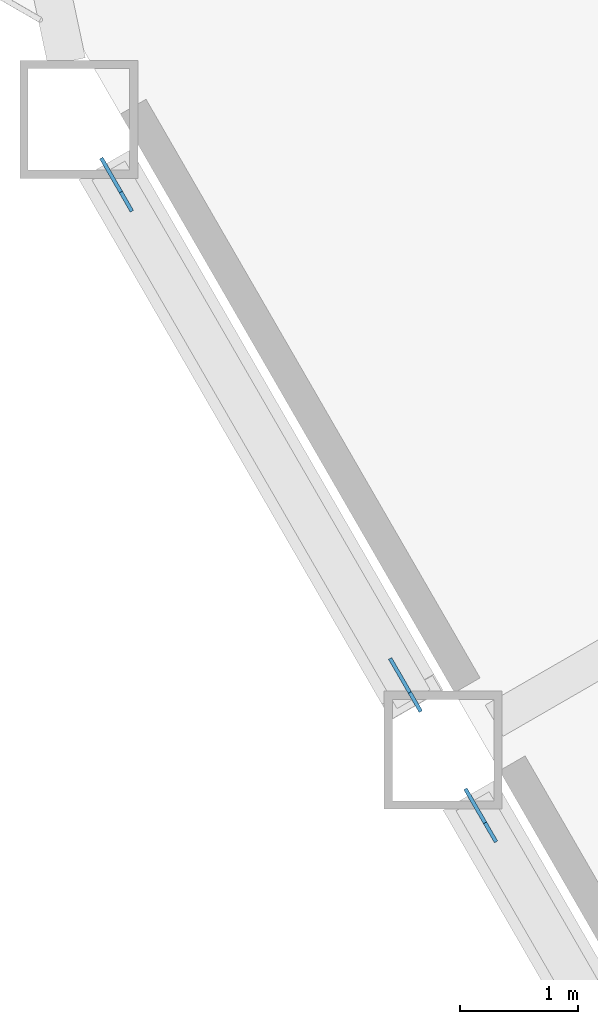
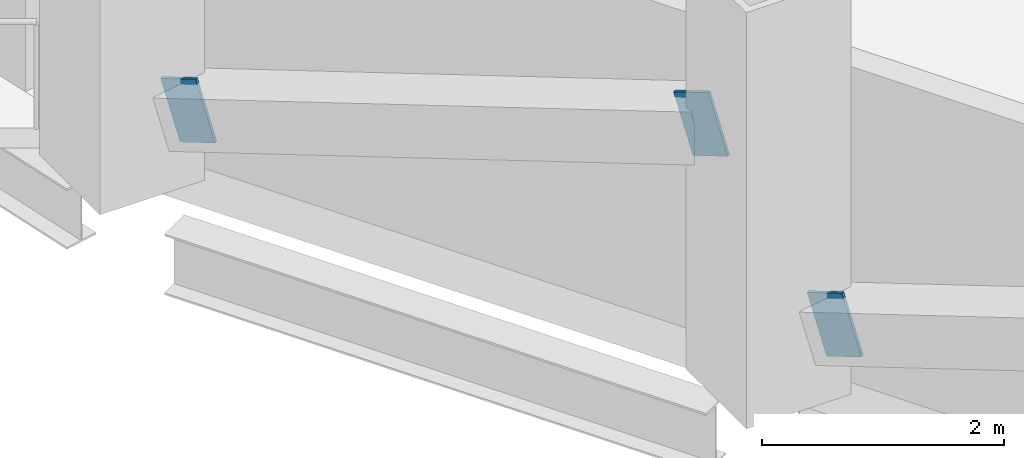
# One storey, part 14 of 21: 3 discrete accessories.
"""IFC4 building model written with IfcOpenShell, lengths in metres."""

from ifc_helpers import new_model, si_unit, direction, frame, origin, origin_2d, place, context, subcontext, project, spatial, rectangle, extrude, material, material_profile, profile_set, type_object, element, save


model = new_model("IFC4")

# Units and contexts
model_context = context("Model", 3, precision=1e-05, world=origin(), true_north=direction((0.0, 1.0)))
body_context = subcontext(model_context, "Body", "Model", "MODEL_VIEW")
ifc_project = project(units=[si_unit("LENGTHUNIT", "METRE"), si_unit("AREAUNIT", "SQUARE_METRE"), si_unit("VOLUMEUNIT", "CUBIC_METRE"), si_unit("PLANEANGLEUNIT", "RADIAN"), si_unit("MASSUNIT", "GRAM", prefix="KILO")], contexts=[model_context])

# Site, building, storey
site_placement = place(None, origin())
site = spatial("IfcSite", under=ifc_project, at=site_placement, CompositionType="ELEMENT")
building_placement = place(site_placement, origin())
building = spatial("IfcBuilding", under=site, at=building_placement, Name="Cormorant Prow Tower", CompositionType="ELEMENT")
storey_placement = place(building_placement, frame((0.0, 0.0, 46.800048828125)))
storey = spatial("IfcBuildingStorey", under=building, at=storey_placement, Name="L09", CompositionType="ELEMENT", Elevation=46.800048828125)

# Discrete accessories
ifc_material = material(Name="Structural steel ASTM A500 Gr C", Category="steel")
ifc_material_profile = material_profile(ifc_material, rectangle(XDim=0.031982421875, YDim=0.60791015625, at=origin_2d()), Name="Gusset plate 32x608")
ifc_profile_set = profile_set([ifc_material_profile], Name="Structural steel ASTM A500 Gr C")
discrete_accessory_type = type_object("IfcDiscreteAccessoryType", Name="Gusset plate 32x608", PredefinedType="BRACKET", material=ifc_profile_set)
discrete_accessory_placement = place(storey_placement, frame((-30.597900390625, -11.47021484375, 0.859130859375), z_axis=(-0.475651503409, 0.824369614413, -0.306871937683), x_axis=(-0.866161185697, -0.499764745047, 0.0)))
element("IfcDiscreteAccessory", 1, at=discrete_accessory_placement, inside=storey, type_object=discrete_accessory_type, Name="Gusset plate GP1 L09.WSW00.g0", PredefinedType="BRACKET", context=body_context, shape_type="SweptSolid", body=[
    extrude(rectangle(XDim=0.031982421875, YDim=0.60791015625, at=origin_2d()), origin(), (0.0, 0.0, 1.0), 0.35009765625),
])
for number, where, z_axis, x_axis, name in (
    (2, (-28.3173828125, -15.42041015625, 2.32958984375), (0.476464602218, -0.823872174553, 0.306946449452), (0.865660382551, 0.500631703033, 0.0), "Gusset plate GP1 L09.WSW00.g1"),
    (3, (-27.512939453125, -16.813232421875, 0.859130859375), (-0.476464602218, 0.823872174553, -0.306946449452), (-0.865660382551, -0.500631703033, 0.0), "Gusset plate GP1 L09.WSW01.g0"),
):
    element("IfcDiscreteAccessory", number, at=place(storey_placement, frame(where, z_axis=z_axis, x_axis=x_axis)), inside=storey, type_object=discrete_accessory_type, Name=name, PredefinedType="BRACKET", context=body_context, shape_type="SweptSolid", body=[
        extrude(rectangle(XDim=0.031982421875, YDim=0.60791015625, at=origin_2d()), origin(), (0.0, 0.0, 1.0), 0.349853515625),
    ])

save(model, "model.ifc")
